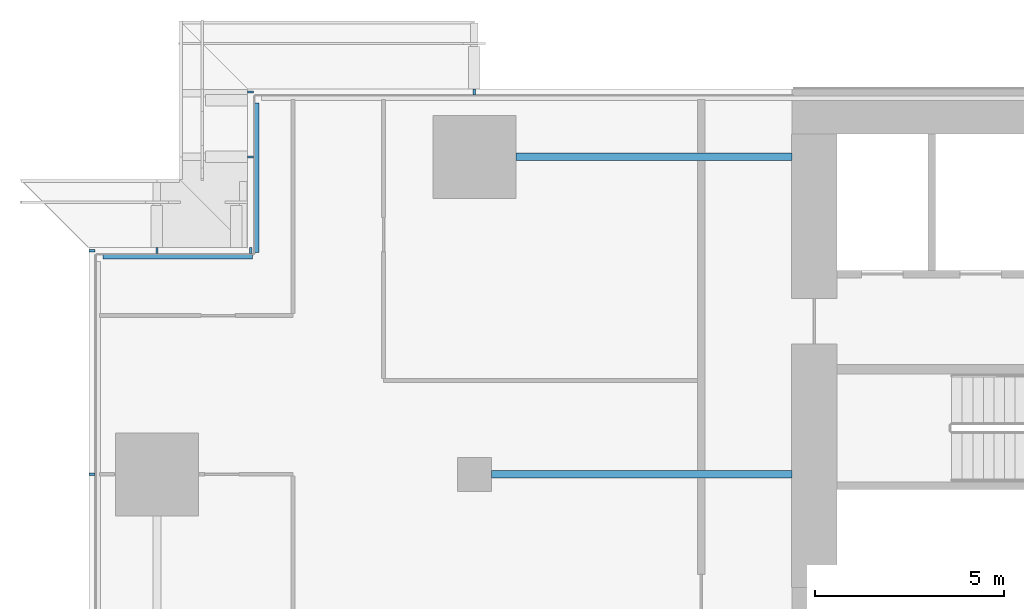
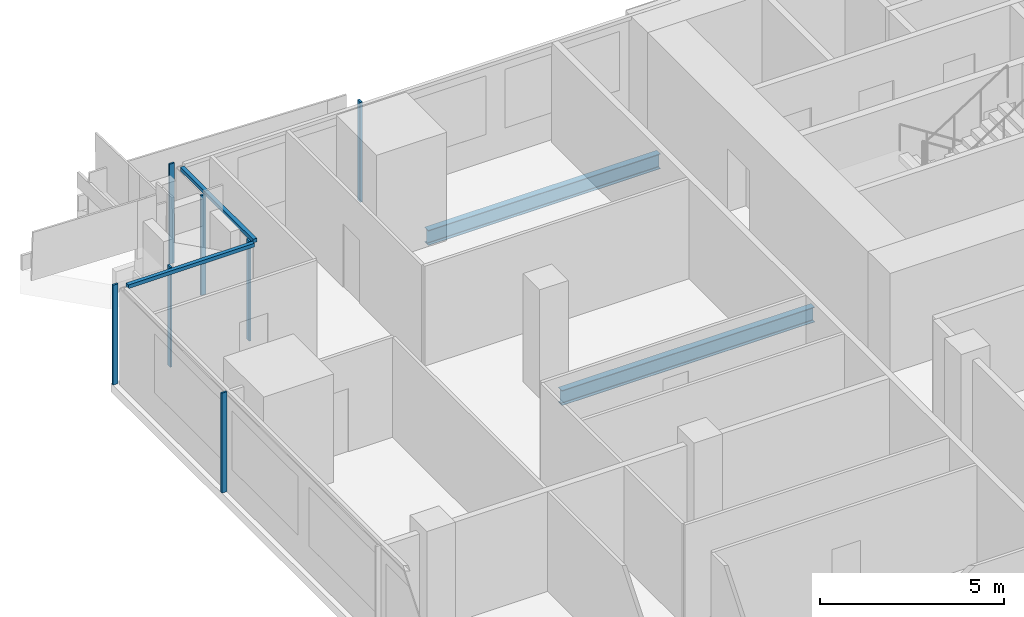
# One storey, part 10 of 30: 9 members, 2 beams, 4 elements without a shape of their own.
"""IFC4 building model written with IfcOpenShell, lengths in metres."""

from ifc_helpers import new_model, si_unit, direction, frame, origin, origin_2d, place, context, subcontext, project, spatial, rectangle, i_section, extrude, material, material_profile, profile_set, type_object, element, aggregate, save


model = new_model("IFC4")

# Units and contexts
model_context = context("Model", 3, precision=1e-05, world=origin(), true_north=direction((0.0, 1.0)))
body_context = subcontext(model_context, "Body", "Model", "MODEL_VIEW")
ifc_project = project(units=[si_unit("LENGTHUNIT", "METRE"), si_unit("AREAUNIT", "SQUARE_METRE"), si_unit("VOLUMEUNIT", "CUBIC_METRE"), si_unit("PLANEANGLEUNIT", "RADIAN"), si_unit("MASSUNIT", "GRAM", prefix="KILO")], contexts=[model_context])

# Site, building, storey
site_placement = place(None, origin())
site = spatial("IfcSite", under=ifc_project, at=site_placement, CompositionType="ELEMENT")
building_placement = place(site_placement, origin())
building = spatial("IfcBuilding", under=site, at=building_placement, Name="Saffron Gate Tower", CompositionType="ELEMENT")
storey_placement = place(building_placement, frame((0.0, 0.0, 69.60009765625)))
storey = spatial("IfcBuildingStorey", under=building, at=storey_placement, Name="L16", CompositionType="ELEMENT", Elevation=69.60009765625)

# Beams
ifc_material_1 = material(Name="Structural steel S355", Category="steel")
ifc_material_profile_1 = material_profile(ifc_material_1, i_section(OverallWidth=0.199951171875, OverallDepth=0.5, WebThickness=0.01025390625, FlangeThickness=0.01611328125, FilletRadius=0.02099609375, at=origin_2d()))
ifc_profile_set_1 = profile_set([ifc_material_profile_1], Name="Structural steel S355")
beam_type = type_object("IfcBeamType", Name="B10 IPE 500", PredefinedType="BEAM", material=ifc_profile_set_1)
beam_1_placement = place(storey_placement, frame((58.64990234375, 65.39990234375, -0.530029296875), z_axis=(1.0, 0.0, 0.0), x_axis=(0.0, 1.0, 0.0)))
element("IfcBeam", 1, at=beam_1_placement, inside=storey, type_object=beam_type, Name="B10 CORE TIE BEAM", PredefinedType="BEAM", context=body_context, shape_type="SweptSolid", body=[
    extrude(i_section(OverallWidth=0.199951171875, OverallDepth=0.5, WebThickness=0.01025390625, FlangeThickness=0.01611328125, FilletRadius=0.02099609375, at=origin_2d()), origin(), (0.0, 0.0, 1.0), 7.9501953125),
])
beam_2_placement = place(storey_placement, frame((59.300048828125, 73.800048828125, -0.530029296875), z_axis=(1.0, 0.0, 0.0), x_axis=(0.0, 1.0, 0.0)))
element("IfcBeam", 2, at=beam_2_placement, inside=storey, type_object=beam_type, Name="B10 CORE TIE BEAM", PredefinedType="BEAM", context=body_context, shape_type="SweptSolid", body=[
    extrude(i_section(OverallWidth=0.199951171875, OverallDepth=0.5, WebThickness=0.01025390625, FlangeThickness=0.01611328125, FilletRadius=0.02099609375, at=origin_2d()), origin(), (0.0, 0.0, 1.0), 7.300048828125),
])

# Curtain wall, members
ifc_material_2 = material(Name="Aluminium, bronze anodised", Category="aluminium")
curtain_wall_type_1 = type_object("IfcCurtainWallType", Name="CWS2 curtain wall side facades", PredefinedType="NOTDEFINED", material=ifc_material_2)
curtain_wall_1_placement = place(storey_placement, origin())
curtain_wall_1 = element("IfcCurtainWall", 3, at=curtain_wall_1_placement, inside=storey, type_object=curtain_wall_type_1, Name="CWS2 run 10", PredefinedType="NOTDEFINED")
ifc_material_profile_2 = material_profile(ifc_material_2, rectangle(XDim=0.159912109375, YDim=0.06005859375, at=origin_2d()))
ifc_profile_set_2 = profile_set([ifc_material_profile_2], Name="Aluminium, bronze anodised")
member_type_1 = type_object("IfcMemberType", Name="CWS2 mullion 60x160", PredefinedType="MULLION", material=ifc_profile_set_2)
member_1_placement = place(storey_placement, frame((48.080078125, 71.320068359375, 0.0), z_axis=(0.0, 0.0, 1.0), x_axis=(1.0, 0.0, 0.0)))
member_1 = element("IfcMember", 4, at=member_1_placement, type_object=member_type_1, Name="CWS2 mullion 1", PredefinedType="MULLION", context=body_context, shape_type="SweptSolid", body=[
    extrude(rectangle(XDim=0.159912109375, YDim=0.06005859375, at=origin_2d()), origin(), (0.0, 0.0, 1.0), 3.31982421875),
])
member_2_placement = place(storey_placement, frame((48.080078125, 65.39990234375, 0.0), z_axis=(0.0, 0.0, 1.0), x_axis=(1.0, 0.0, 0.0)))
member_2 = element("IfcMember", 5, at=member_2_placement, type_object=member_type_1, Name="CWS2 mullion 2", PredefinedType="MULLION", context=body_context, shape_type="SweptSolid", body=[
    extrude(rectangle(XDim=0.159912109375, YDim=0.06005859375, at=origin_2d()), origin(), (0.0, 0.0, 1.0), 3.31982421875),
])
aggregate(curtain_wall_1, [member_1, member_2])

# Curtain wall, member
curtain_wall_type_2 = type_object("IfcCurtainWallType", Name="CWS3 curtain wall rear facade", PredefinedType="NOTDEFINED", material=ifc_material_2)
curtain_wall_2_placement = place(storey_placement, origin())
curtain_wall_2 = element("IfcCurtainWall", 6, at=curtain_wall_2_placement, inside=storey, type_object=curtain_wall_type_2, Name="CWS3 run 7", PredefinedType="NOTDEFINED")
ifc_material_profile_3 = material_profile(ifc_material_2, rectangle(XDim=0.159912109375, YDim=0.070068359375, at=origin_2d()))
ifc_profile_set_3 = profile_set([ifc_material_profile_3], Name="Aluminium, bronze anodised")
member_type_2 = type_object("IfcMemberType", Name="CWS3 mullion 70x160", PredefinedType="MULLION", material=ifc_profile_set_3)
member_3_placement = place(storey_placement, frame((58.199951171875, 75.52001953125, 0.0), z_axis=(0.0, 0.0, 1.0), x_axis=(0.0, -1.0, 0.0)))
member_3 = element("IfcMember", 7, at=member_3_placement, type_object=member_type_2, Name="CWS3 mullion 9", PredefinedType="MULLION", context=body_context, shape_type="SweptSolid", body=[
    extrude(rectangle(XDim=0.159912109375, YDim=0.070068359375, at=origin_2d()), origin(), (0.0, 0.0, 1.0), 3.31982421875),
])
aggregate(curtain_wall_2, [member_3])

curtain_wall_type_3 = type_object("IfcCurtainWallType", Name="CWS4 curtain wall corner returns", PredefinedType="NOTDEFINED", material=ifc_material_2)
curtain_wall_3_placement = place(storey_placement, origin())
curtain_wall_3 = element("IfcCurtainWall", 8, at=curtain_wall_3_placement, inside=storey, type_object=curtain_wall_type_3, Name="CWS4 run 8", PredefinedType="NOTDEFINED")
ifc_material_profile_4 = material_profile(ifc_material_2, rectangle(XDim=0.1201171875, YDim=0.1201171875, at=origin_2d()))
ifc_profile_set_4 = profile_set([ifc_material_profile_4], Name="Aluminium, bronze anodised")
member_type_3 = type_object("IfcMemberType", Name="CWS4 head transom", PredefinedType="USERDEFINED", material=ifc_profile_set_4)
member_4_placement = place(storey_placement, frame((52.447998046875, 75.23193359375, 3.260009765625), z_axis=(0.0, -1.0, 0.0), x_axis=(1.0, 0.0, 0.0)))
member_4 = element("IfcMember", 9, at=member_4_placement, type_object=member_type_3, Name="CWS4 head transom", ObjectType="TRANSOM", PredefinedType="USERDEFINED", context=body_context, shape_type="SweptSolid", body=[
    extrude(rectangle(XDim=0.1201171875, YDim=0.1201171875, at=origin_2d()), origin(), (0.0, 0.0, 1.0), 3.9599609375),
])

curtain_wall_4_placement = place(storey_placement, origin())
curtain_wall_4 = element("IfcCurtainWall", 10, at=curtain_wall_4_placement, inside=storey, type_object=curtain_wall_type_3, Name="CWS4 run 9", PredefinedType="NOTDEFINED")
member_5_placement = place(storey_placement, frame((52.327880859375, 71.152099609375, 3.260009765625), z_axis=(-1.0, 0.0, 0.0), x_axis=(0.0, -1.0, 0.0)))
member_5 = element("IfcMember", 11, at=member_5_placement, type_object=member_type_3, Name="CWS4 head transom", ObjectType="TRANSOM", PredefinedType="USERDEFINED", context=body_context, shape_type="SweptSolid", body=[
    extrude(rectangle(XDim=0.1201171875, YDim=0.1201171875, at=origin_2d()), origin(), (0.0, 0.0, 1.0), 3.9599609375),
])

# Member
ifc_material_profile_5 = material_profile(ifc_material_2, rectangle(XDim=0.159912109375, YDim=0.06005859375, at=origin_2d()))
ifc_profile_set_5 = profile_set([ifc_material_profile_5], Name="Aluminium, bronze anodised")
member_type_4 = type_object("IfcMemberType", Name="CWS4 mullion 60x160", PredefinedType="MULLION", material=ifc_profile_set_5)
member_6_placement = place(storey_placement, frame((52.280029296875, 75.52001953125, 0.0), z_axis=(0.0, 0.0, 1.0), x_axis=(1.0, 0.0, 0.0)))
member_6 = element("IfcMember", 12, at=member_6_placement, type_object=member_type_4, Name="CWS4 mullion 1", PredefinedType="MULLION", context=body_context, shape_type="SweptSolid", body=[
    extrude(rectangle(XDim=0.159912109375, YDim=0.06005859375, at=origin_2d()), origin(), (0.0, 0.0, 1.0), 3.31982421875),
])

member_7_placement = place(storey_placement, frame((52.280029296875, 73.800048828125, 0.0), z_axis=(0.0, 0.0, 1.0), x_axis=(1.0, 0.0, 0.0)))
member_7 = element("IfcMember", 13, at=member_7_placement, type_object=member_type_4, Name="CWS4 mullion 2", PredefinedType="MULLION", context=body_context, shape_type="SweptSolid", body=[
    extrude(rectangle(XDim=0.159912109375, YDim=0.06005859375, at=origin_2d()), origin(), (0.0, 0.0, 1.0), 3.31982421875),
])

aggregate(curtain_wall_3, [member_6, member_7, member_4])

member_8_placement = place(storey_placement, frame((52.280029296875, 71.320068359375, 0.0), z_axis=(0.0, 0.0, 1.0), x_axis=(0.0, -1.0, 0.0)))
member_8 = element("IfcMember", 14, at=member_8_placement, type_object=member_type_4, Name="CWS4 mullion 1", PredefinedType="MULLION", context=body_context, shape_type="SweptSolid", body=[
    extrude(rectangle(XDim=0.159912109375, YDim=0.06005859375, at=origin_2d()), origin(), (0.0, 0.0, 1.0), 3.31982421875),
])

member_9_placement = place(storey_placement, frame((49.800048828125, 71.320068359375, 0.0), z_axis=(0.0, 0.0, 1.0), x_axis=(0.0, -1.0, 0.0)))
member_9 = element("IfcMember", 15, at=member_9_placement, type_object=member_type_4, Name="CWS4 mullion 2", PredefinedType="MULLION", context=body_context, shape_type="SweptSolid", body=[
    extrude(rectangle(XDim=0.159912109375, YDim=0.06005859375, at=origin_2d()), origin(), (0.0, 0.0, 1.0), 3.31982421875),
])

aggregate(curtain_wall_4, [member_8, member_9, member_5])

save(model, "model.ifc")
